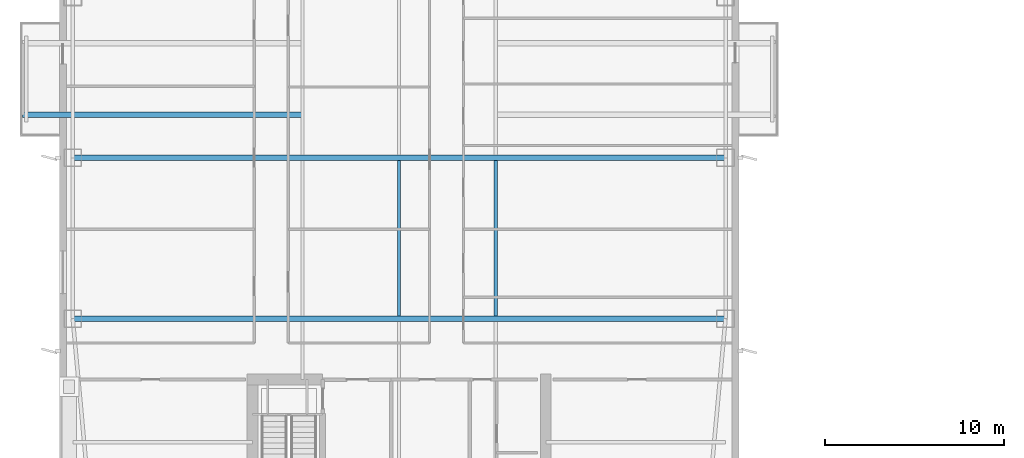
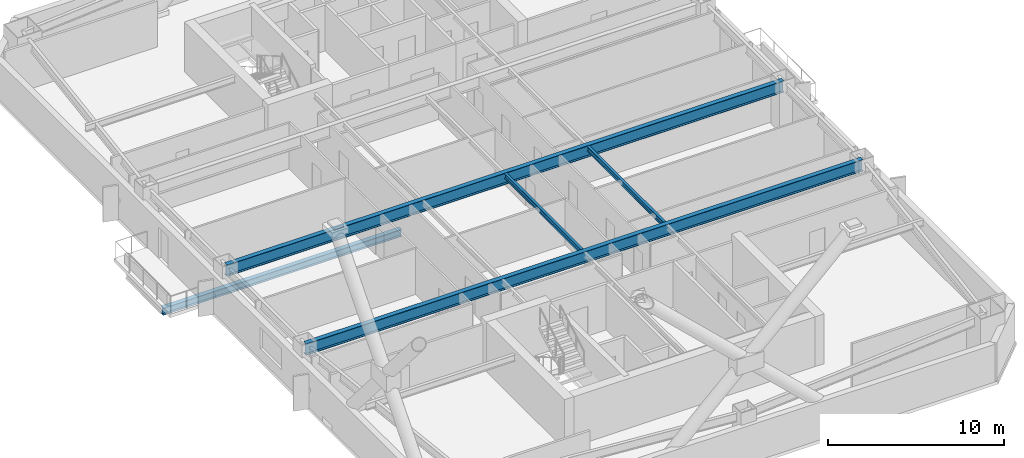
# One storey, part 2 of 24: 5 beams.
"""IFC4 building model written with IfcOpenShell, lengths in metres."""

from ifc_helpers import new_model, si_unit, direction, frame, origin, origin_2d, place, context, subcontext, project, spatial, i_section, extrude, material, material_profile, profile_set, type_object, element, save


model = new_model("IFC4")

# Units and contexts
model_context = context("Model", 3, precision=1e-05, world=origin(), true_north=direction((0.0, 1.0)))
body_context = subcontext(model_context, "Body", "Model", "MODEL_VIEW")
ifc_project = project(units=[si_unit("LENGTHUNIT", "METRE"), si_unit("AREAUNIT", "SQUARE_METRE"), si_unit("VOLUMEUNIT", "CUBIC_METRE"), si_unit("PLANEANGLEUNIT", "RADIAN"), si_unit("MASSUNIT", "GRAM", prefix="KILO")], contexts=[model_context])

# Site, building, storey
site_placement = place(None, origin())
site = spatial("IfcSite", under=ifc_project, at=site_placement, CompositionType="ELEMENT")
building_placement = place(site_placement, origin())
building = spatial("IfcBuilding", under=site, at=building_placement, Name="Qiaolan Cultural Towers", CompositionType="ELEMENT")
storey_placement = place(building_placement, frame((0.0, 0.0, 120.75)))
storey = spatial("IfcBuildingStorey", under=building, at=storey_placement, Name="L31", CompositionType="ELEMENT", Elevation=120.75)

# Beams
ifc_material_1 = material(Name="Steel Q355B", Category="steel")
ifc_material_profile_1 = material_profile(ifc_material_1, i_section(OverallWidth=0.300048828125, OverallDepth=0.488037109375, WebThickness=0.010986328125, FlangeThickness=0.01806640625, at=origin_2d()), Name="HM488x300x11x18")
ifc_profile_set_1 = profile_set([ifc_material_profile_1], Name="Steel Q355B")
beam_type_1 = type_object("IfcBeamType", Name="BM-HM488x300x11x18", PredefinedType="BEAM", material=ifc_profile_set_1)
beam_placement = place(storey_placement, frame((24.60009765625, 36.39990234375, -0.52392578125), z_axis=(-1.0, 0.0, 0.0), x_axis=(0.0, -1.0, 0.0)))
element("IfcBeam", 1, at=beam_placement, inside=storey, type_object=beam_type_1, Name="L31 T1 Tree Balcony Back-Spanned Bracket Beam", PredefinedType="BEAM", context=body_context, shape_type="SweptSolid", body=[
    extrude(i_section(OverallWidth=0.300048828125, OverallDepth=0.488037109375, WebThickness=0.010986328125, FlangeThickness=0.01806640625, at=origin_2d()), origin(), (0.0, 0.0, 1.0), 15.650146484375),
])
ifc_material_2 = material(Name="Steel Q355B", Category="steel")
ifc_material_profile_2 = material_profile(ifc_material_2, i_section(OverallWidth=0.300048828125, OverallDepth=0.800048828125, WebThickness=0.013916015625, FlangeThickness=0.02587890625, at=origin_2d()), Name="HN800x300x14x26")
ifc_profile_set_2 = profile_set([ifc_material_profile_2], Name="Steel Q355B")
beam_type_2 = type_object("IfcBeamType", Name="BM-HN800x300x14x26", PredefinedType="BEAM", material=ifc_profile_set_2)
for number, where, z_axis, x_axis, name in (
    (2, (11.75, 25.0, 2.7900390625), (1.0, 0.0, 0.0), (0.0, 1.0, 0.0), "L31 T1 Primary Transverse Girder V1"),
    (3, (11.75, 34.0, 2.7900390625), (1.0, 0.0, 0.0), (0.0, 1.0, 0.0), "L31 T1 Primary Transverse Girder V2"),
):
    element("IfcBeam", number, at=place(storey_placement, frame(where, z_axis=z_axis, x_axis=x_axis)), inside=storey, type_object=beam_type_2, Name=name, PredefinedType="BEAM", context=body_context, shape_type="SweptSolid", body=[
        extrude(i_section(OverallWidth=0.300048828125, OverallDepth=0.800048828125, WebThickness=0.013916015625, FlangeThickness=0.02587890625, at=origin_2d()), origin(), (0.0, 0.0, 1.0), 36.5),
    ])
ifc_material_3 = material(Name="Steel Q355B", Category="steel")
ifc_material_profile_3 = material_profile(ifc_material_3, i_section(OverallWidth=0.175048828125, OverallDepth=0.35009765625, WebThickness=0.007080078125, FlangeThickness=0.010986328125, at=origin_2d()), Name="HN350x175x7x11")
ifc_profile_set_3 = profile_set([ifc_material_profile_3], Name="Steel Q355B")
beam_type_3 = type_object("IfcBeamType", Name="BM-JST-HN350x175x7x11", PredefinedType="JOIST", material=ifc_profile_set_3)
for number, where, z_axis, x_axis, name in (
    (4, (30.0, 25.14990234375, 3.014892578125), (0.0, 1.0, 0.0), (-1.0, 0.0, 0.0), "L31 T1 Secondary Floor Joist U2-2"),
    (5, (35.39990234375, 25.14990234375, 3.014892578125), (0.0, 1.0, 0.0), (-1.0, 0.0, 0.0), "L31 T1 Secondary Floor Joist U3-2"),
):
    element("IfcBeam", number, at=place(storey_placement, frame(where, z_axis=z_axis, x_axis=x_axis)), inside=storey, type_object=beam_type_3, Name=name, PredefinedType="JOIST", context=body_context, shape_type="SweptSolid", body=[
        extrude(i_section(OverallWidth=0.175048828125, OverallDepth=0.35009765625, WebThickness=0.007080078125, FlangeThickness=0.010986328125, at=origin_2d()), origin(), (0.0, 0.0, 1.0), 8.7001953125),
    ])

save(model, "model.ifc")
